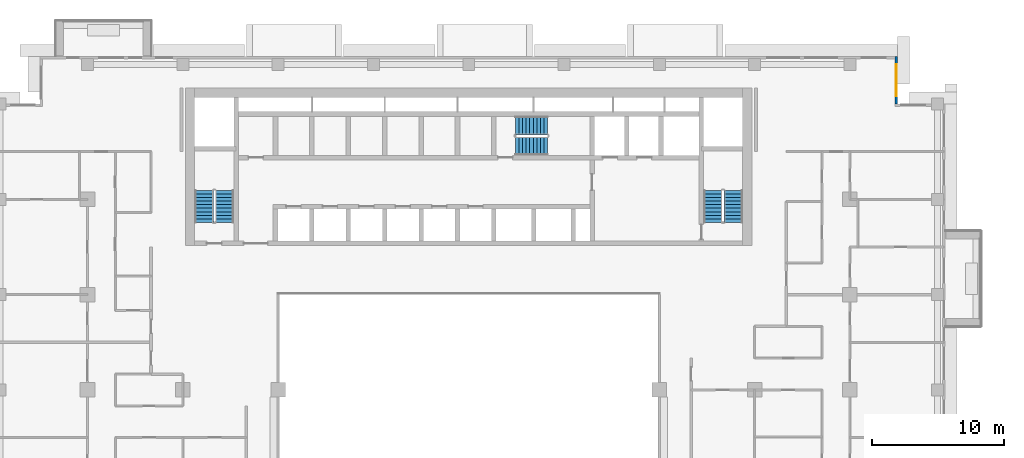
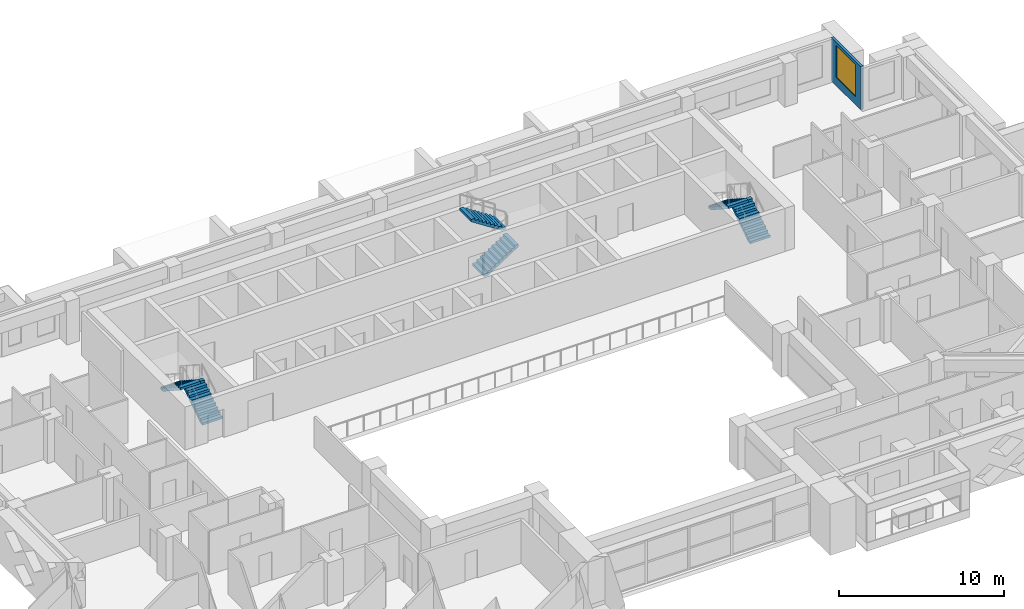
# One storey, part 13 of 20: 6 stair flights, 1 wall, 1 window, 1 opening, 3 elements without a shape of their own.
"""IFC4 building model written with IfcOpenShell, lengths in metres."""

from ifc_helpers import new_model, si_unit, direction, frame, frame_2d, origin, place, context, subcontext, project, spatial, polyline, rectangle, outline, extrude, material, layer, layer_set, type_object, element, fill, aggregate, save


model = new_model("IFC4")

# Units and contexts
model_context = context("Model", 3, precision=1e-05, world=origin(), true_north=direction((0.0, 1.0)))
body_context = subcontext(model_context, "Body", "Model", "MODEL_VIEW")
ifc_project = project(units=[si_unit("LENGTHUNIT", "METRE"), si_unit("AREAUNIT", "SQUARE_METRE"), si_unit("VOLUMEUNIT", "CUBIC_METRE"), si_unit("PLANEANGLEUNIT", "RADIAN"), si_unit("MASSUNIT", "GRAM", prefix="KILO")], contexts=[model_context])

# Site, building, storey
site_placement = place(None, origin())
site = spatial("IfcSite", under=ifc_project, at=site_placement, CompositionType="ELEMENT")
building_placement = place(site_placement, origin())
building = spatial("IfcBuilding", under=site, at=building_placement, Name="Saffron Iwan Residences", CompositionType="ELEMENT")
storey_placement = place(building_placement, frame((0.0, 0.0, 130.5)))
storey = spatial("IfcBuildingStorey", under=building, at=storey_placement, Name="L34", CompositionType="ELEMENT", Elevation=130.5)

# Wall, opening, window
ifc_material_1 = material(Name="Concrete C40/50", Category="concrete")
ifc_layer_1 = layer(ifc_material_1, 0.199951171875)
ifc_layer_set_1 = layer_set([ifc_layer_1], Name="Concrete C40/50")
wall_type = type_object("IfcWallType", Name="EXTERNAL WALL 200", PredefinedType="SOLIDWALL", material=ifc_layer_set_1)
wall_placement = place(storey_placement, frame((82.699951171875, 76.800048828125, 0.0), z_axis=(0.0, 0.0, 1.0), x_axis=(0.0, 1.0, 0.0)))
wall = element("IfcWall", 1, at=wall_placement, inside=storey, type_object=wall_type, Name="External wall L34 F4.0", PredefinedType="SOLIDWALL", context=body_context, shape_type="SweptSolid", body=[
    extrude(rectangle(XDim=3.599853515625, YDim=0.199951171875, at=frame_2d((1.7998046875, 0.0))), origin(), (0.0, 0.0, 1.0), 3.199951171875),
])
opening_placement = place(wall_placement, frame((0.60009765625, 0.0, 0.60009765625)))
opening = element("IfcOpeningElement", 2, at=opening_placement, cuts=wall, Name="Opening W1", PredefinedType="OPENING", context=body_context, shape_type="SweptSolid", body=[
    extrude(rectangle(XDim=2.39990234375, YDim=2.39990234375, at=frame_2d((1.199951171875, 1.199951171875))), frame((0.0, 0.10986328125, 0.0), z_axis=(0.0, -1.0, 0.0), x_axis=(1.0, 0.0, 0.0)), (0.0, 0.0, 1.0), 0.219970703125),
])
ifc_material_2 = material(Name="Clear glass, laminated double glazed", Category="glass")
window_type = type_object("IfcWindowType", Name="WINDOW 2400 x 2400", PartitioningType="DOUBLE_PANEL_VERTICAL", PredefinedType="WINDOW", material=ifc_material_2)
window_placement = place(opening_placement, origin())
window = element("IfcWindow", 3, at=window_placement, inside=storey, type_object=window_type, Name="Window L34 F4.0", OverallHeight=2.39990234375, OverallWidth=2.39990234375, PartitioningType="DOUBLE_PANEL_VERTICAL", PredefinedType="WINDOW", context=body_context, shape_type="SweptSolid", body=[
    extrude(rectangle(XDim=2.39990234375, YDim=2.39990234375, at=frame_2d((1.199951171875, 1.199951171875))), frame((0.0, 0.030029296875, 0.0), z_axis=(0.0, -1.0, 0.0), x_axis=(1.0, 0.0, 0.0)), (0.0, 0.0, 1.0), 0.06005859375),
])
fill(opening, window)

# Stair, stair flights
ifc_material_3 = material(Name="Concrete C50/60", Category="concrete")
stair_type = type_object("IfcStairType", Name="Stair ST-CORE", PredefinedType="HALF_TURN_STAIR", material=ifc_material_3)
stair_1_placement = place(storey_placement, origin())
stair_1 = element("IfcStair", 4, at=stair_1_placement, inside=storey, type_object=stair_type, Name="L34 Exit Stair ST-W", PredefinedType="HALF_TURN_STAIR")
ifc_layer_2 = layer(ifc_material_3, 0.14990234375)
ifc_layer_set_2 = layer_set([ifc_layer_2], Name="Concrete C50/60")
stair_flight_type = type_object("IfcStairFlightType", Name="Stair flight SFL-RC", PredefinedType="STRAIGHT", material=ifc_layer_set_2)
stair_flight_1_placement = place(storey_placement, frame((31.949951171875, 67.85009765625, 0.0), z_axis=(0.0, 0.0, 1.0), x_axis=(0.0, 1.0, 0.0)))
stair_flight_1 = element("IfcStairFlight", 5, at=stair_flight_1_placement, type_object=stair_flight_type, Name="ST-W flight 1", NumberOfRisers=10, NumberOfTreads=9, PredefinedType="STRAIGHT", RiserHeight=0.175, TreadLength=0.27, context=body_context, shape_type="SweptSolid", body=[
    extrude(outline(polyline([(0.0, 0.0), (0.0, 0.175048828125), (0.27001953125, 0.175048828125), (0.27001953125, 0.35009765625), (0.5400390625, 0.35009765625), (0.5400390625, 0.52490234375), (0.81005859375, 0.52490234375), (0.81005859375, 0.699951171875), (1.080078125, 0.699951171875), (1.080078125, 0.875), (1.35009765625, 0.875), (1.35009765625, 1.050048828125), (1.6201171875, 1.050048828125), (1.6201171875, 1.22509765625), (1.889892578125, 1.22509765625), (1.889892578125, 1.39990234375), (2.159912109375, 1.39990234375), (2.159912109375, 1.574951171875), (2.429931640625, 1.574951171875), (2.429931640625, 1.75), (2.429931640625, 1.396484375), (0.275634765625, 0.0), (0.0, 0.0)])), frame((0.0, 0.699951171875, 0.0), z_axis=(0.0, -1.0, 0.0), x_axis=(1.0, 0.0, 0.0)), (0.0, 0.0, 1.0), 1.39990234375),
])
stair_flight_2_placement = place(storey_placement, frame((30.39990234375, 70.280029296875, 1.75), z_axis=(0.0, 0.0, 1.0), x_axis=(0.0, -1.0, 0.0)))
stair_flight_2 = element("IfcStairFlight", 6, at=stair_flight_2_placement, type_object=stair_flight_type, Name="ST-W flight 2", NumberOfRisers=10, NumberOfTreads=9, PredefinedType="STRAIGHT", RiserHeight=0.175, TreadLength=0.27, context=body_context, shape_type="SweptSolid", body=[
    extrude(outline(polyline([(0.0, 0.0), (0.0, 0.175048828125), (0.27001953125, 0.175048828125), (0.27001953125, 0.35009765625), (0.5400390625, 0.35009765625), (0.5400390625, 0.52490234375), (0.81005859375, 0.52490234375), (0.81005859375, 0.699951171875), (1.080078125, 0.699951171875), (1.080078125, 0.875), (1.35009765625, 0.875), (1.35009765625, 1.050048828125), (1.6201171875, 1.050048828125), (1.6201171875, 1.22509765625), (1.889892578125, 1.22509765625), (1.889892578125, 1.39990234375), (2.159912109375, 1.39990234375), (2.159912109375, 1.574951171875), (2.429931640625, 1.574951171875), (2.429931640625, 1.75), (2.429931640625, 1.396484375), (0.275634765625, 0.0), (0.0, 0.0)])), frame((0.0, 0.699951171875, 0.0), z_axis=(0.0, -1.0, 0.0), x_axis=(1.0, 0.0, 0.0)), (0.0, 0.0, 1.0), 1.39990234375),
])
aggregate(stair_1, [stair_flight_1, stair_flight_2])

stair_2_placement = place(storey_placement, origin())
stair_2 = element("IfcStair", 7, at=stair_2_placement, inside=storey, type_object=stair_type, Name="L34 Exit Stair ST-C", PredefinedType="HALF_TURN_STAIR")
stair_flight_3_placement = place(storey_placement, frame((53.925048828125, 73.625, 0.0), z_axis=(0.0, 0.0, 1.0), x_axis=(1.0, 0.0, 0.0)))
stair_flight_3 = element("IfcStairFlight", 8, at=stair_flight_3_placement, type_object=stair_flight_type, Name="ST-C flight 1", NumberOfRisers=10, NumberOfTreads=9, PredefinedType="STRAIGHT", RiserHeight=0.175, TreadLength=0.27, context=body_context, shape_type="SweptSolid", body=[
    extrude(outline(polyline([(0.0, 0.0), (0.0, 0.175048828125), (0.27001953125, 0.175048828125), (0.27001953125, 0.35009765625), (0.5400390625, 0.35009765625), (0.5400390625, 0.52490234375), (0.81005859375, 0.52490234375), (0.81005859375, 0.699951171875), (1.080078125, 0.699951171875), (1.080078125, 0.875), (1.35009765625, 0.875), (1.35009765625, 1.050048828125), (1.6201171875, 1.050048828125), (1.6201171875, 1.22509765625), (1.889892578125, 1.22509765625), (1.889892578125, 1.39990234375), (2.159912109375, 1.39990234375), (2.159912109375, 1.574951171875), (2.429931640625, 1.574951171875), (2.429931640625, 1.75), (2.429931640625, 1.396484375), (0.275634765625, 0.0), (0.0, 0.0)])), frame((0.0, 0.699951171875, 0.0), z_axis=(0.0, -1.0, 0.0), x_axis=(1.0, 0.0, 0.0)), (0.0, 0.0, 1.0), 1.39990234375),
])
stair_flight_4_placement = place(storey_placement, frame((56.35498046875, 75.175048828125, 1.75), z_axis=(0.0, 0.0, 1.0), x_axis=(-1.0, 0.0, 0.0)))
stair_flight_4 = element("IfcStairFlight", 9, at=stair_flight_4_placement, type_object=stair_flight_type, Name="ST-C flight 2", NumberOfRisers=10, NumberOfTreads=9, PredefinedType="STRAIGHT", RiserHeight=0.175, TreadLength=0.27, context=body_context, shape_type="SweptSolid", body=[
    extrude(outline(polyline([(0.0, 0.0), (0.0, 0.175048828125), (0.27001953125, 0.175048828125), (0.27001953125, 0.35009765625), (0.5400390625, 0.35009765625), (0.5400390625, 0.52490234375), (0.81005859375, 0.52490234375), (0.81005859375, 0.699951171875), (1.080078125, 0.699951171875), (1.080078125, 0.875), (1.35009765625, 0.875), (1.35009765625, 1.050048828125), (1.6201171875, 1.050048828125), (1.6201171875, 1.22509765625), (1.889892578125, 1.22509765625), (1.889892578125, 1.39990234375), (2.159912109375, 1.39990234375), (2.159912109375, 1.574951171875), (2.429931640625, 1.574951171875), (2.429931640625, 1.75), (2.429931640625, 1.396484375), (0.275634765625, 0.0), (0.0, 0.0)])), frame((0.0, 0.699951171875, 0.0), z_axis=(0.0, -1.0, 0.0), x_axis=(1.0, 0.0, 0.0)), (0.0, 0.0, 1.0), 1.39990234375),
])
aggregate(stair_2, [stair_flight_3, stair_flight_4])

stair_3_placement = place(storey_placement, origin())
stair_3 = element("IfcStair", 10, at=stair_3_placement, inside=storey, type_object=stair_type, Name="L34 Exit Stair ST-E", PredefinedType="HALF_TURN_STAIR")
stair_flight_5_placement = place(storey_placement, frame((70.39990234375, 67.85009765625, 0.0), z_axis=(0.0, 0.0, 1.0), x_axis=(0.0, 1.0, 0.0)))
stair_flight_5 = element("IfcStairFlight", 11, at=stair_flight_5_placement, type_object=stair_flight_type, Name="ST-E flight 1", NumberOfRisers=10, NumberOfTreads=9, PredefinedType="STRAIGHT", RiserHeight=0.175, TreadLength=0.27, context=body_context, shape_type="SweptSolid", body=[
    extrude(outline(polyline([(0.0, 0.0), (0.0, 0.175048828125), (0.27001953125, 0.175048828125), (0.27001953125, 0.35009765625), (0.5400390625, 0.35009765625), (0.5400390625, 0.52490234375), (0.81005859375, 0.52490234375), (0.81005859375, 0.699951171875), (1.080078125, 0.699951171875), (1.080078125, 0.875), (1.35009765625, 0.875), (1.35009765625, 1.050048828125), (1.6201171875, 1.050048828125), (1.6201171875, 1.22509765625), (1.889892578125, 1.22509765625), (1.889892578125, 1.39990234375), (2.159912109375, 1.39990234375), (2.159912109375, 1.574951171875), (2.429931640625, 1.574951171875), (2.429931640625, 1.75), (2.429931640625, 1.396484375), (0.275634765625, 0.0), (0.0, 0.0)])), frame((0.0, 0.699951171875, 0.0), z_axis=(0.0, -1.0, 0.0), x_axis=(1.0, 0.0, 0.0)), (0.0, 0.0, 1.0), 1.39990234375),
])
stair_flight_6_placement = place(storey_placement, frame((68.85009765625, 70.280029296875, 1.75), z_axis=(0.0, 0.0, 1.0), x_axis=(0.0, -1.0, 0.0)))
stair_flight_6 = element("IfcStairFlight", 12, at=stair_flight_6_placement, type_object=stair_flight_type, Name="ST-E flight 2", NumberOfRisers=10, NumberOfTreads=9, PredefinedType="STRAIGHT", RiserHeight=0.175, TreadLength=0.27, context=body_context, shape_type="SweptSolid", body=[
    extrude(outline(polyline([(0.0, 0.0), (0.0, 0.175048828125), (0.27001953125, 0.175048828125), (0.27001953125, 0.35009765625), (0.5400390625, 0.35009765625), (0.5400390625, 0.52490234375), (0.81005859375, 0.52490234375), (0.81005859375, 0.699951171875), (1.080078125, 0.699951171875), (1.080078125, 0.875), (1.35009765625, 0.875), (1.35009765625, 1.050048828125), (1.6201171875, 1.050048828125), (1.6201171875, 1.22509765625), (1.889892578125, 1.22509765625), (1.889892578125, 1.39990234375), (2.159912109375, 1.39990234375), (2.159912109375, 1.574951171875), (2.429931640625, 1.574951171875), (2.429931640625, 1.75), (2.429931640625, 1.396484375), (0.275634765625, 0.0), (0.0, 0.0)])), frame((0.0, 0.699951171875, 0.0), z_axis=(0.0, -1.0, 0.0), x_axis=(1.0, 0.0, 0.0)), (0.0, 0.0, 1.0), 1.39990234375),
])
aggregate(stair_3, [stair_flight_5, stair_flight_6])

save(model, "model.ifc")
